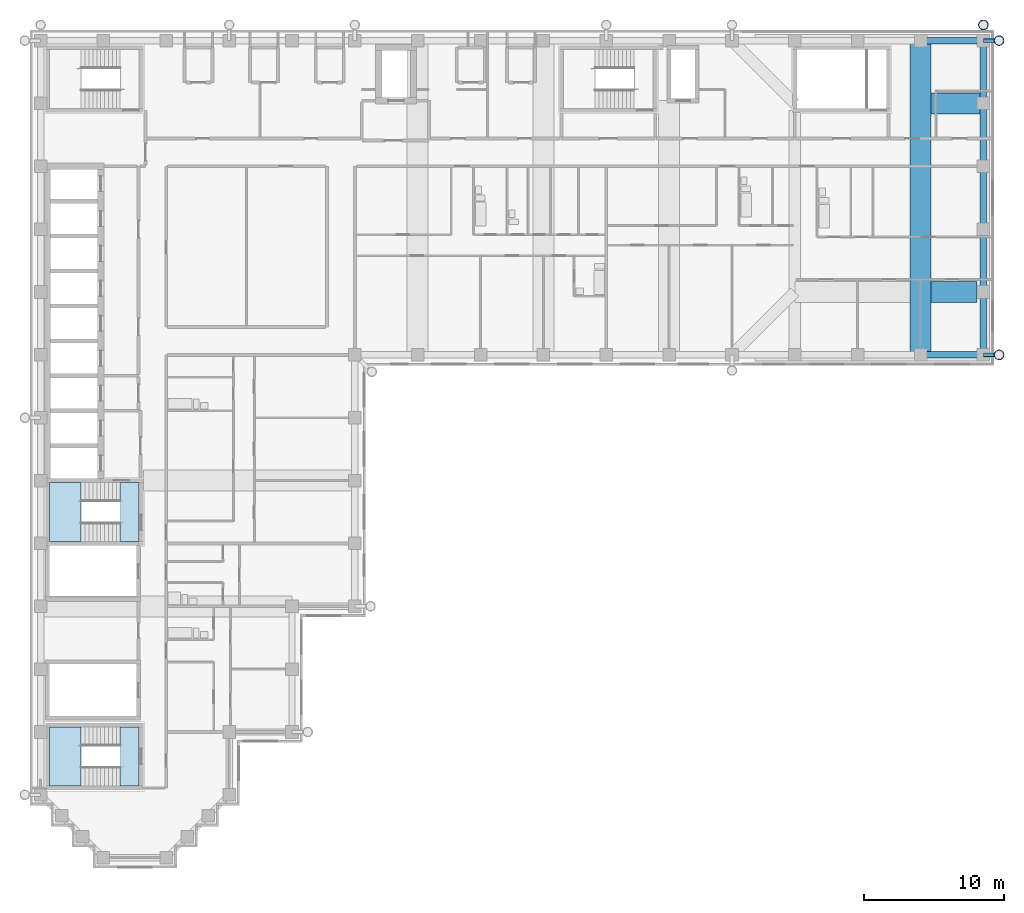
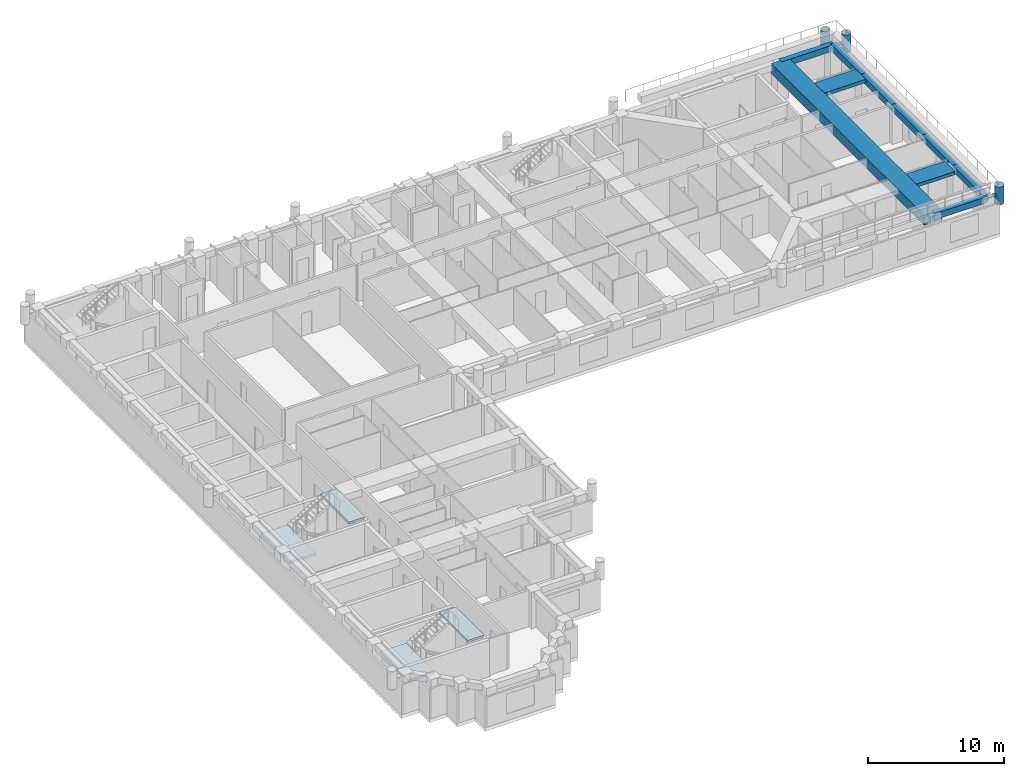
# One storey, part 3 of 14: 10 beams, 5 members, 4 slabs, 2 elements without a shape of their own.
"""IFC4 building model written with IfcOpenShell, lengths in metres."""

from ifc_helpers import new_model, si_unit, direction, frame, origin, origin_2d, place, context, subcontext, project, spatial, polyline, rectangle, hollow_circle, outline, extrude, material, layer, layer_set, material_profile, profile_set, type_object, element, aggregate, save


model = new_model("IFC4")

# Units and contexts
model_context = context("Model", 3, precision=1e-05, world=origin(), true_north=direction((0.0, 1.0)))
body_context = subcontext(model_context, "Body", "Model", "MODEL_VIEW")
ifc_project = project(units=[si_unit("LENGTHUNIT", "METRE"), si_unit("AREAUNIT", "SQUARE_METRE"), si_unit("VOLUMEUNIT", "CUBIC_METRE"), si_unit("PLANEANGLEUNIT", "RADIAN"), si_unit("MASSUNIT", "GRAM", prefix="KILO")], contexts=[model_context])

# Site, building, storey
site_placement = place(None, origin())
site = spatial("IfcSite", under=ifc_project, at=site_placement, CompositionType="ELEMENT")
building_placement = place(site_placement, origin())
building = spatial("IfcBuilding", under=site, at=building_placement, Name="Firuza Court", CompositionType="ELEMENT")
storey_placement = place(building_placement, frame((0.0, 0.0, 182.60009765625)))
storey = spatial("IfcBuildingStorey", under=building, at=storey_placement, Name="L46", CompositionType="ELEMENT", Elevation=182.60009765625)

# Beams
ifc_material_1 = material(Name="Concrete C40/50", Category="concrete")
ifc_material_profile_1 = material_profile(ifc_material_1, rectangle(XDim=1.5, YDim=0.300048828125, at=origin_2d()), Name="RC 1500x300")
ifc_profile_set_1 = profile_set([ifc_material_profile_1], Name="Concrete C40/50")
beam_type_1 = type_object("IfcBeamType", Name="Band beam RC 1500x300 C40/50", PredefinedType="BEAM", material=ifc_profile_set_1)
beam_1_placement = place(storey_placement, frame((67.5, 54.0, 3.099853515625), z_axis=(-1.0, 0.0, 0.0), x_axis=(0.0, -1.0, 0.0)))
element("IfcBeam", 1, at=beam_1_placement, inside=storey, type_object=beam_type_1, Name="Band beam FB6 level L47", PredefinedType="BEAM", context=body_context, shape_type="SweptSolid", body=[
    extrude(rectangle(XDim=1.5, YDim=0.300048828125, at=origin_2d()), origin(), (0.0, 0.0, 1.0), 3.75),
])
beam_2_placement = place(storey_placement, frame((63.75, 40.5, 3.099853515625), z_axis=(1.0, 0.0, 0.0), x_axis=(0.0, 1.0, 0.0)))
element("IfcBeam", 2, at=beam_2_placement, inside=storey, type_object=beam_type_1, Name="Band beam FB6 level L47", PredefinedType="BEAM", context=body_context, shape_type="SweptSolid", body=[
    extrude(rectangle(XDim=1.5, YDim=0.300048828125, at=origin_2d()), origin(), (0.0, 0.0, 1.0), 3.300048828125),
])
ifc_material_2 = material(Name="Concrete C40/50", Category="concrete")
ifc_material_profile_2 = material_profile(ifc_material_2, rectangle(XDim=1.5, YDim=0.89990234375, at=origin_2d()), Name="RC 1500x900")
ifc_profile_set_2 = profile_set([ifc_material_profile_2], Name="Concrete C40/50")
beam_type_2 = type_object("IfcBeamType", Name="Band beam RC 1500x900 C40/50", PredefinedType="BEAM", material=ifc_profile_set_2)
beam_3_placement = place(storey_placement, frame((63.0, 36.0, 2.7998046875), z_axis=(0.0, 1.0, 0.0), x_axis=(-1.0, 0.0, 0.0)))
element("IfcBeam", 3, at=beam_3_placement, inside=storey, type_object=beam_type_2, Name="Band beam FB2 level L47", PredefinedType="BEAM", context=body_context, shape_type="SweptSolid", body=[
    extrude(rectangle(XDim=1.5, YDim=0.89990234375, at=origin_2d()), origin(), (0.0, 0.0, 1.0), 22.5),
])

# Members
ifc_material_3 = material(Name="Steel S355", Category="steel")
ifc_material_profile_3 = material_profile(ifc_material_3, hollow_circle(Radius=0.35546875, WallThickness=0.030029296875, at=origin_2d()), Name="CHS 711x30")
ifc_profile_set_3 = profile_set([ifc_material_profile_3], Name="Steel S355")
member_type_1 = type_object("IfcMemberType", Name="Diagrid node CHS 711x30 S355", PredefinedType="USERDEFINED", material=ifc_profile_set_3)
for number, where, z_axis, x_axis, name in (
    (4, (67.5, 59.6201171875, 2.199951171875), (0.0, 0.0, 1.0), (1.0, 0.0, 0.0), "Diagrid node level L46"),
    (5, (68.6201171875, 36.0, 2.199951171875), (0.0, 0.0, 1.0), (1.0, 0.0, 0.0), "Diagrid node level L46"),
    (6, (68.6201171875, 58.5, 2.199951171875), (0.0, 0.0, 1.0), (1.0, 0.0, 0.0), "Diagrid node level L46"),
):
    element("IfcMember", number, at=place(storey_placement, frame(where, z_axis=z_axis, x_axis=x_axis)), inside=storey, type_object=member_type_1, Name=name, ObjectType="DIAGRID NODE", PredefinedType="USERDEFINED", context=body_context, shape_type="SweptSolid", body=[
        extrude(hollow_circle(Radius=0.35546875, WallThickness=0.030029296875, at=origin_2d()), origin(), (0.0, 0.0, 1.0), 1.599853515625),
    ])
ifc_material_4 = material(Name="Steel S355", Category="steel")
ifc_material_profile_4 = material_profile(ifc_material_4, hollow_circle(Radius=0.136474609375, WallThickness=0.012451171875, at=origin_2d()), Name="CHS 273x12.5")
ifc_profile_set_4 = profile_set([ifc_material_profile_4], Name="Steel S355")
member_type_2 = type_object("IfcMemberType", Name="Diagrid tie CHS 273x12.5 S355", PredefinedType="STRUT", material=ifc_profile_set_4)
for number, where, z_axis, x_axis, name in (
    (7, (67.5, 36.0, 3.0), (1.0, 0.0, 0.0), (0.0, 1.0, 0.0), "Diagrid tie level L47"),
    (8, (67.5, 58.5, 3.0), (1.0, 0.0, 0.0), (0.0, 1.0, 0.0), "Diagrid tie level L47"),
):
    element("IfcMember", number, at=place(storey_placement, frame(where, z_axis=z_axis, x_axis=x_axis)), inside=storey, type_object=member_type_2, Name=name, PredefinedType="STRUT", context=body_context, shape_type="SweptSolid", body=[
        extrude(hollow_circle(Radius=0.136474609375, WallThickness=0.012451171875, at=origin_2d()), origin(), (0.0, 0.0, 1.0), 1.1201171875),
    ])

# Beams
ifc_material_5 = material(Name="Concrete C40/50", Category="concrete")
ifc_material_profile_5 = material_profile(ifc_material_5, rectangle(XDim=0.449951171875, YDim=0.550048828125, at=origin_2d()), Name="RC 450x550")
ifc_profile_set_5 = profile_set([ifc_material_profile_5], Name="Concrete C40/50")
beam_type_3 = type_object("IfcBeamType", Name="Spandrel beam RC 450x550 C40/50", PredefinedType="BEAM", material=ifc_profile_set_5)
for number, where, z_axis, x_axis, name in (
    (9, (63.0, 36.0, 2.974853515625), (1.0, 0.0, 0.0), (0.0, 1.0, 0.0), "Spandrel beam SP16 level L47"),
    (10, (67.5, 36.0, 2.974853515625), (0.0, 1.0, 0.0), (-1.0, 0.0, 0.0), "Spandrel beam SP16 level L47"),
    (11, (67.5, 40.5, 2.974853515625), (0.0, 1.0, 0.0), (-1.0, 0.0, 0.0), "Spandrel beam SP16 level L47"),
    (12, (67.5, 45.0, 2.974853515625), (0.0, 1.0, 0.0), (-1.0, 0.0, 0.0), "Spandrel beam SP16 level L47"),
    (13, (67.5, 49.5, 2.974853515625), (0.0, 1.0, 0.0), (-1.0, 0.0, 0.0), "Spandrel beam SP16 level L47"),
    (14, (67.5, 54.0, 2.974853515625), (0.0, 1.0, 0.0), (-1.0, 0.0, 0.0), "Spandrel beam SP16 level L47"),
    (15, (67.5, 58.5, 2.974853515625), (-1.0, 0.0, 0.0), (0.0, -1.0, 0.0), "Spandrel beam SP16 level L47"),
):
    element("IfcBeam", number, at=place(storey_placement, frame(where, z_axis=z_axis, x_axis=x_axis)), inside=storey, type_object=beam_type_3, Name=name, PredefinedType="BEAM", context=body_context, shape_type="SweptSolid", body=[
        extrude(rectangle(XDim=0.449951171875, YDim=0.550048828125, at=origin_2d()), origin(), (0.0, 0.0, 1.0), 4.5),
    ])

# Stair, slabs
ifc_material_6 = material(Name="Concrete C40/50 precast", Category="concrete")
stair_type = type_object("IfcStairType", Name="Stair 1350 x 3600 2 flights", PredefinedType="HALF_TURN_STAIR", material=ifc_material_6)
stair_1_placement = place(storey_placement, origin())
stair_1 = element("IfcStair", 16, at=stair_1_placement, inside=storey, type_object=stair_type, Name="Stair 2 L46", PredefinedType="HALF_TURN_STAIR")
ifc_material_7 = material(Name="Concrete C40/50 precast", Category="concrete")
ifc_layer = layer(ifc_material_7, 0.199951171875)
ifc_layer_set = layer_set([ifc_layer], Name="Concrete C40/50 precast")
slab_type = type_object("IfcSlabType", Name="Stair landing 200", PredefinedType="LANDING", material=ifc_layer_set)
slab_1_placement = place(storey_placement, frame((0.0, 0.0, 1.599853515625)))
slab_1 = element("IfcSlab", 17, at=slab_1_placement, type_object=slab_type, Name="S2 landing 1", PredefinedType="LANDING", context=body_context, shape_type="SweptSolid", body=[
    extrude(outline(polyline([(2.89990234375, 22.64990234375), (2.89990234375, 26.85009765625), (0.64990234375, 26.85009765625), (0.64990234375, 22.64990234375), (2.89990234375, 22.64990234375)])), origin(), (0.0, 0.0, 1.0), 0.199951171875),
])
slab_2_placement = place(storey_placement, frame((0.0, 0.0, 3.39990234375)))
slab_2 = element("IfcSlab", 18, at=slab_2_placement, type_object=slab_type, Name="S2 landing 2", PredefinedType="LANDING", context=body_context, shape_type="SweptSolid", body=[
    extrude(outline(polyline([(7.050048828125, 22.64990234375), (7.050048828125, 26.85009765625), (5.699951171875, 26.85009765625), (5.699951171875, 22.64990234375), (7.050048828125, 22.64990234375)])), origin(), (0.0, 0.0, 1.0), 0.199951171875),
])
aggregate(stair_1, [slab_1, slab_2])

stair_2_placement = place(storey_placement, origin())
stair_2 = element("IfcStair", 19, at=stair_2_placement, inside=storey, type_object=stair_type, Name="Stair 5 L46", PredefinedType="HALF_TURN_STAIR")
slab_3_placement = place(storey_placement, frame((0.0, 0.0, 1.599853515625)))
slab_3 = element("IfcSlab", 20, at=slab_3_placement, type_object=slab_type, Name="S5 landing 1", PredefinedType="LANDING", context=body_context, shape_type="SweptSolid", body=[
    extrude(outline(polyline([(2.89990234375, 5.14990234375), (2.89990234375, 9.35009765625), (0.64990234375, 9.35009765625), (0.64990234375, 5.14990234375), (2.89990234375, 5.14990234375)])), origin(), (0.0, 0.0, 1.0), 0.199951171875),
])
slab_4_placement = place(storey_placement, frame((0.0, 0.0, 3.39990234375)))
slab_4 = element("IfcSlab", 21, at=slab_4_placement, type_object=slab_type, Name="S5 landing 2", PredefinedType="LANDING", context=body_context, shape_type="SweptSolid", body=[
    extrude(outline(polyline([(7.050048828125, 5.14990234375), (7.050048828125, 9.35009765625), (5.699951171875, 9.35009765625), (5.699951171875, 5.14990234375), (7.050048828125, 5.14990234375)])), origin(), (0.0, 0.0, 1.0), 0.199951171875),
])
aggregate(stair_2, [slab_3, slab_4])

save(model, "model.ifc")
